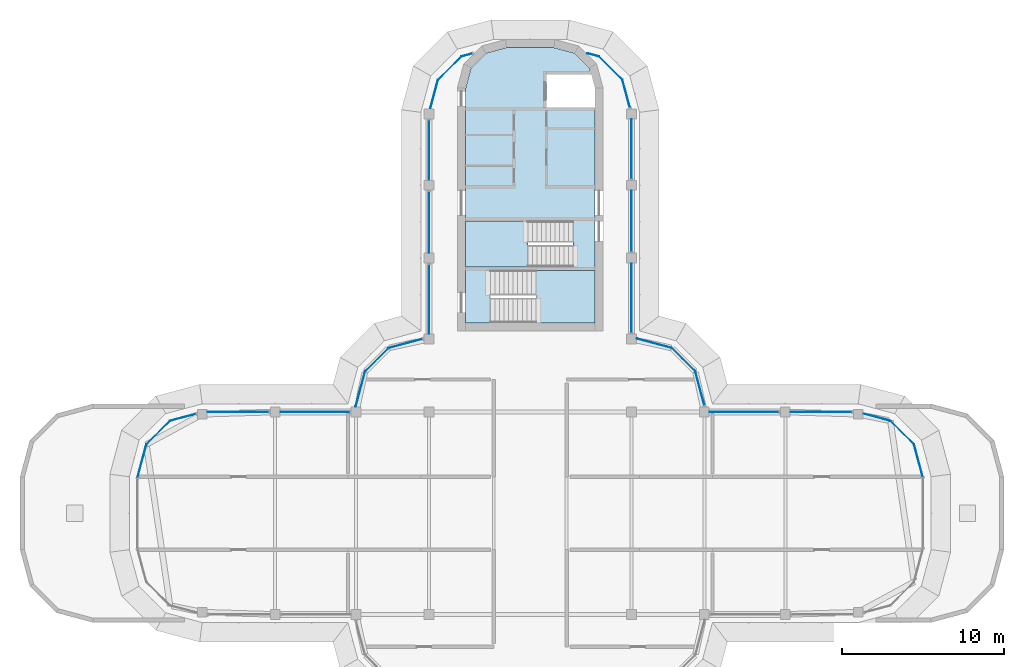
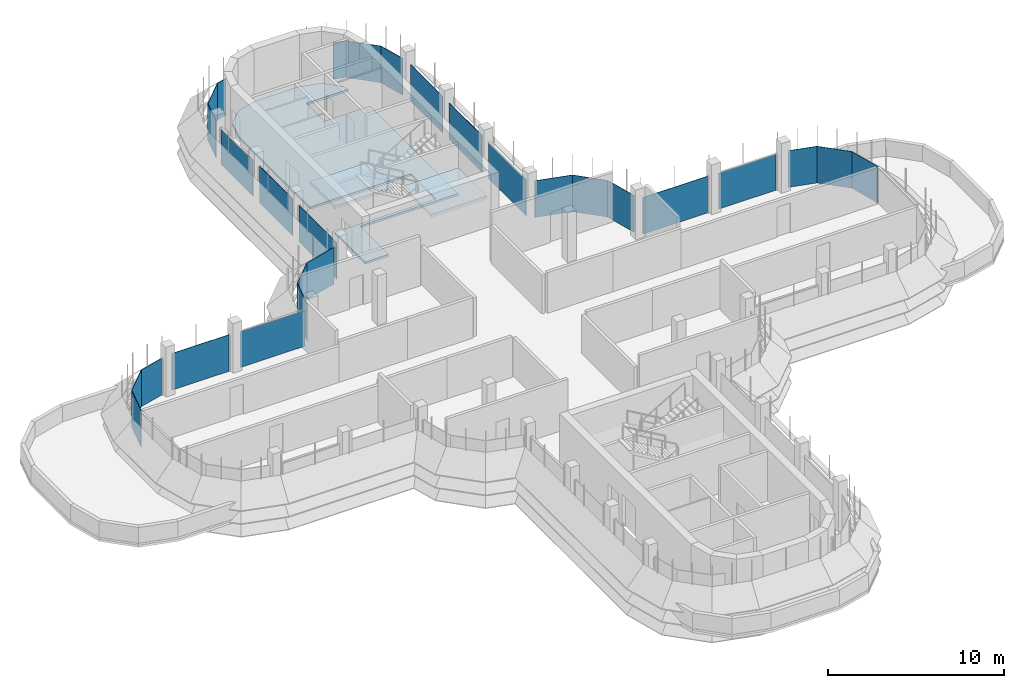
# One storey, part 12 of 20: 28 plates, 3 slabs, 24 elements without a shape of their own.
"""IFC4 building model written with IfcOpenShell, lengths in metres."""

import ifcopenshell
import ifcopenshell.guid

model = None  # the IFC model being written
_history = None  # IfcOwnerHistory: only IFC2X3 demands one
_inside = {}  # id of a spatial element -> (the spatial element, [elements in it])
_under = {}  # id of a project, library or spatial element -> (it, [spatial elements below it])
_declared = {}  # id of a project -> (the project, [libraries it declares])
_typed = {}  # id of a type object -> (the type object, [elements of that type])
_made_of = {}  # id of a material, layer set ... -> (it, [elements and type objects made of it])


def new_model(schema):
    """Start an empty IFC model of exactly this schema.

    Asked for "IFC4X3", IfcOpenShell would pick the latest addendum, in which some entities
    have other attributes; the version numbers below select the first issue.
    IFC2X3 requires an IfcOwnerHistory on every rooted entity: one is made here for all.
    """
    global model, _history
    if schema == "IFC4X3":
        model = ifcopenshell.file(schema_version=(4, 3, 0, 0))
    else:
        model = ifcopenshell.file(schema=schema)
    _inside.clear()
    _under.clear()
    _declared.clear()
    _typed.clear()
    _made_of.clear()
    _history = None
    if model.schema == "IFC2X3":
        org = make("IfcOrganization", Name="unknown")
        user = make(
            "IfcPersonAndOrganization",
            ThePerson=make("IfcPerson", FamilyName="unknown"),
            TheOrganization=org,
        )
        app = make(
            "IfcApplication",
            ApplicationDeveloper=org,
            Version="unknown",
            ApplicationFullName="unknown",
            ApplicationIdentifier="unknown",
        )
        _history = make(
            "IfcOwnerHistory",
            OwningUser=user,
            OwningApplication=app,
            ChangeAction="ADDED",
            CreationDate=0,
        )
    return model


def make(cls, **values):
    """One entity of the class cls with the attributes given. An attribute that is None is left unset."""
    return model.create_entity(
        cls, **{name: value for name, value in values.items() if value is not None}
    )


def rooted(cls, **values):
    """An entity with a GlobalId (a new one), such as an element, a storey or a relation."""
    return make(cls, GlobalId=ifcopenshell.guid.new(), OwnerHistory=_history, **values)


def si_unit(unit_type, name, prefix=None):
    """IfcSIUnit, for example si_unit("LENGTHUNIT", "METRE", prefix="MILLI")."""
    return make("IfcSIUnit", UnitType=unit_type, Prefix=prefix, Name=name)


def assignment(units):
    """IfcUnitAssignment: the units of a project."""
    return None if units is None else make("IfcUnitAssignment", Units=units)


def point(xyz):
    """IfcCartesianPoint."""
    return None if xyz is None else make("IfcCartesianPoint", Coordinates=xyz)


def direction(xyz):
    """IfcDirection."""
    return None if xyz is None else make("IfcDirection", DirectionRatios=xyz)


def frame(location, z_axis=None, x_axis=None):
    """IfcAxis2Placement3D, a coordinate frame: its origin and axes. An axis left out is left unset."""
    return make(
        "IfcAxis2Placement3D",
        Location=point(location),
        Axis=direction(z_axis),
        RefDirection=direction(x_axis),
    )


def origin():
    """The frame at (0, 0, 0) with its axes left unset."""
    return frame((0.0, 0.0, 0.0))


def place(relative_to, where):
    """IfcLocalPlacement: puts the frame where relative to a parent placement (None: the world)."""
    return make(
        "IfcLocalPlacement", PlacementRelTo=relative_to, RelativePlacement=where
    )


def context(
    kind, dimensions, precision=None, world=None, true_north=None, identifier=None
):
    """IfcGeometricRepresentationContext, for example the 3D "Model" context."""
    return make(
        "IfcGeometricRepresentationContext",
        ContextIdentifier=identifier,
        ContextType=kind,
        CoordinateSpaceDimension=dimensions,
        Precision=precision,
        WorldCoordinateSystem=world,
        TrueNorth=true_north,
    )


def subcontext(parent, identifier, kind, view, scale=None):
    """IfcGeometricRepresentationSubContext, for example "Body" below "Model"."""
    return make(
        "IfcGeometricRepresentationSubContext",
        ContextIdentifier=identifier,
        ContextType=kind,
        ParentContext=parent,
        TargetScale=scale,
        TargetView=view,
    )


def project(units=None, contexts=None):
    """IfcProject with its units and contexts."""
    return rooted(
        "IfcProject",
        Name="project",
        RepresentationContexts=contexts,
        UnitsInContext=assignment(units),
    )


def spatial(cls, under=None, at=None, **own):
    """A site, building, storey or space (cls), placed at a placement, below another one or the project."""
    s = rooted(cls, ObjectPlacement=at, **own)
    if under is not None:
        _under.setdefault(under.id(), (under, []))[1].append(s)
    return s


def polyline(points):
    """IfcPolyline through the points."""
    return make("IfcPolyline", Points=[point(p) for p in points])


def outline(outer, holes=None, kind="AREA"):
    """IfcArbitraryClosedProfileDef: a profile drawn as a closed curve; with holes, ...WithVoids."""
    if holes is None:
        return make("IfcArbitraryClosedProfileDef", ProfileType=kind, OuterCurve=outer)
    return make(
        "IfcArbitraryProfileDefWithVoids",
        ProfileType=kind,
        OuterCurve=outer,
        InnerCurves=holes,
    )


def extrude(swept, where, along, depth):
    """IfcExtrudedAreaSolid: the profile swept, set in the frame where, extruded along a direction by depth."""
    return make(
        "IfcExtrudedAreaSolid",
        SweptArea=swept,
        Position=where,
        ExtrudedDirection=direction(along),
        Depth=depth,
    )


def shape(context_of_items, identifier, shape_type, items):
    """IfcShapeRepresentation: the items that make up one representation, for example the "Body"."""
    return make(
        "IfcShapeRepresentation",
        ContextOfItems=context_of_items,
        RepresentationIdentifier=identifier,
        RepresentationType=shape_type,
        Items=items,
    )


def source(mapping_origin, context_of_items, identifier, shape_type, items):
    """IfcRepresentationMap: a shape defined once, which mapped items show again and again."""
    return make(
        "IfcRepresentationMap",
        MappingOrigin=mapping_origin,
        MappedRepresentation=shape(context_of_items, identifier, shape_type, items),
    )


def transform(
    local_origin,
    x_axis=None,
    y_axis=None,
    z_axis=None,
    scale=None,
    scale2=None,
    scale3=None,
    uniform=True,
):
    """IfcCartesianTransformationOperator3D, or its non-uniform kind. x_axis, y_axis, z_axis: its Axis1, 2, 3."""
    if uniform:
        return make(
            "IfcCartesianTransformationOperator3D",
            Axis1=direction(x_axis),
            Axis2=direction(y_axis),
            LocalOrigin=point(local_origin),
            Scale=scale,
            Axis3=direction(z_axis),
        )
    return make(
        "IfcCartesianTransformationOperator3DnonUniform",
        Axis1=direction(x_axis),
        Axis2=direction(y_axis),
        LocalOrigin=point(local_origin),
        Scale=scale,
        Axis3=direction(z_axis),
        Scale2=scale2,
        Scale3=scale3,
    )


def mapped(mapping_source, mapping_target):
    """IfcMappedItem: shows the shape of a source again, moved by a transform."""
    return make(
        "IfcMappedItem", MappingSource=mapping_source, MappingTarget=mapping_target
    )


def material(Name=None, Category=None):
    """IfcMaterial."""
    return make("IfcMaterial", Name=Name, Category=Category)


def layer(
    of_material, thickness, ventilated=None, Name=None, Category=None, Priority=None
):
    """IfcMaterialLayer: one layer of a wall or slab, of a material (None: an air gap)."""
    return make(
        "IfcMaterialLayer",
        Material=of_material,
        LayerThickness=thickness,
        IsVentilated=ventilated,
        Name=Name,
        Category=Category,
        Priority=Priority,
    )


def layer_set(layers, Name=None):
    """IfcMaterialLayerSet."""
    return make("IfcMaterialLayerSet", MaterialLayers=layers, LayerSetName=Name)


def made_of(thing, what):
    """Note that an element or type object is made of a material, layer set ...; save() writes the relation."""
    if what is not None:
        _made_of.setdefault(what.id(), (what, []))[1].append(thing)
    return thing


def type_object(cls, material=None, **own):
    """A type object (cls), such as IfcWallType, which elements share."""
    return made_of(rooted(cls, **own), material)


def element(
    cls,
    number,
    at=None,
    inside=None,
    cuts=None,
    type_object=None,
    material=None,
    context=None,
    identifier="Body",
    shape_type=None,
    held_by="IfcProductDefinitionShape",
    body=None,
    shapes=None,
    **own,
):
    """One element of the class cls, such as IfcWall. Its Tag is "e" and its number.

    at: its placement. inside: the storey or other place that contains it. cuts: it is an
    opening in that element (IfcRelVoidsElement). A single representation is given by context,
    identifier, shape_type and body (its items); several are given by shapes. held_by: the class
    of the entity that holds the representations. save() writes the other relations.
    """
    e = rooted(cls, Tag="e%d" % number, ObjectPlacement=at, **own)
    if body is not None:
        shapes = [shape(context, identifier, shape_type, body)]
    if shapes is not None:
        e.Representation = make(held_by, Representations=shapes)
    if inside is not None:
        _inside.setdefault(inside.id(), (inside, []))[1].append(e)
    if cuts is not None:
        rooted(
            "IfcRelVoidsElement", RelatingBuildingElement=cuts, RelatedOpeningElement=e
        )
    if type_object is not None:
        _typed.setdefault(type_object.id(), (type_object, []))[1].append(e)
    return made_of(e, material)


def aggregate(whole, parts):
    """IfcRelAggregates: a whole, such as a stair, and the parts it consists of."""
    return rooted("IfcRelAggregates", RelatingObject=whole, RelatedObjects=parts)


def save(model, path):
    """Write the relations noted so far, then the file.

    IfcRelAggregates (storeys below a building ...), IfcRelContainedInSpatialStructure (elements
    in a storey), IfcRelDefinesByType, IfcRelAssociatesMaterial and IfcRelDeclares: one each for
    every whole, place, type object, material and project.
    """
    for whole, parts in _under.values():
        aggregate(whole, parts)
    for where, things in _inside.values():
        rooted(
            "IfcRelContainedInSpatialStructure",
            RelatedElements=things,
            RelatingStructure=where,
        )
    for kind, things in _typed.values():
        rooted("IfcRelDefinesByType", RelatedObjects=things, RelatingType=kind)
    for what, things in _made_of.values():
        rooted("IfcRelAssociatesMaterial", RelatedObjects=things, RelatingMaterial=what)
    for by, libraries in _declared.values():
        rooted("IfcRelDeclares", RelatingContext=by, RelatedDefinitions=libraries)
    model.write(path)


model = new_model("IFC4")

# Units and contexts
model_context = context("Model", 3, precision=1e-05, world=origin(), true_north=direction((0.0, 1.0)))
body_context = subcontext(model_context, "Body", "Model", "MODEL_VIEW")
ifc_project = project(units=[si_unit("LENGTHUNIT", "METRE"), si_unit("AREAUNIT", "SQUARE_METRE"), si_unit("VOLUMEUNIT", "CUBIC_METRE"), si_unit("PLANEANGLEUNIT", "RADIAN"), si_unit("MASSUNIT", "GRAM", prefix="KILO")], contexts=[model_context])

# Site, building, storey
site_placement = place(None, origin())
site = spatial("IfcSite", under=ifc_project, at=site_placement, CompositionType="ELEMENT")
building_placement = place(site_placement, origin())
building = spatial("IfcBuilding", under=site, at=building_placement, Name="Zarbagh Exchange Tower", CompositionType="ELEMENT")
storey_placement = place(building_placement, frame((0.0, 0.0, 291.60009765625)))
storey = spatial("IfcBuildingStorey", under=building, at=storey_placement, Name="L71", CompositionType="ELEMENT", Elevation=291.60009765625)

# Slab
ifc_material_1 = material(Name="Concrete C40/50", Category="concrete")
ifc_layer_1 = layer(ifc_material_1, 0.14990234375)
ifc_layer_set_1 = layer_set([ifc_layer_1], Name="Core floor slab 150 C40/50")
slab_type_1 = type_object("IfcSlabType", Name="Core floor slab 150 C40/50", PredefinedType="FLOOR", material=ifc_layer_set_1)
slab_1_placement = place(storey_placement, frame((0.0, 0.0, -0.150146484375)))
element("IfcSlab", 1, at=slab_1_placement, inside=storey, type_object=slab_type_1, Name="S17 core N", PredefinedType="FLOOR", context=body_context, shape_type="SweptSolid", body=[
    extrude(outline(polyline([(-4.0, 11.75), (-4.0, 15.199951171875), (2.64990234375, 15.199951171875), (2.64990234375, 18.050048828125), (-4.0, 18.050048828125), (-4.0, 26.18408203125), (-3.64990234375, 27.4912109375), (-2.7412109375, 28.39990234375), (-1.43408203125, 28.75), (1.43408203125, 28.75), (2.7412109375, 28.39990234375), (3.64990234375, 27.4912109375), (3.857666015625, 26.715087890625), (3.754638671875, 27.10009765625), (1.0, 27.10009765625), (1.0, 25.050048828125), (4.0, 25.050048828125), (4.0, 15.0), (-2.449951171875, 15.0), (-2.449951171875, 11.75), (-4.0, 11.75)])), origin(), (0.0, 0.0, 1.0), 0.150146484375),
])

# Stair, slab
stair_type = type_object("IfcStairType", Name="Exit stair two-flight half-turn", PredefinedType="HALF_TURN_STAIR", material=ifc_material_1)
stair_1_placement = place(storey_placement, origin())
stair_1 = element("IfcStair", 2, at=stair_1_placement, inside=storey, type_object=stair_type, Name="exit stair ST1", PredefinedType="HALF_TURN_STAIR")
ifc_layer_2 = layer(ifc_material_1, 0.199951171875)
ifc_layer_set_2 = layer_set([ifc_layer_2], Name="Stair landing 200 mm")
slab_type_2 = type_object("IfcSlabType", Name="Stair landing 200 mm", PredefinedType="LANDING", material=ifc_layer_set_2)
slab_2_placement = place(storey_placement, frame((0.0, 0.0, 1.599853515625)))
slab_2 = element("IfcSlab", 3, at=slab_2_placement, type_object=slab_type_2, Name="ST1 landing 1", PredefinedType="LANDING", context=body_context, shape_type="SweptSolid", body=[
    extrude(outline(polyline([(-0.14990234375, 18.050048828125), (-4.0, 18.050048828125), (-4.0, 15.199951171875), (-0.14990234375, 15.199951171875), (-0.14990234375, 18.050048828125)])), origin(), (0.0, 0.0, 1.0), 0.199951171875),
])
aggregate(stair_1, [slab_2])

stair_2_placement = place(storey_placement, origin())
stair_2 = element("IfcStair", 4, at=stair_2_placement, inside=storey, type_object=stair_type, Name="exit stair ST2", PredefinedType="HALF_TURN_STAIR")
slab_3_placement = place(storey_placement, frame((0.0, 0.0, 1.599853515625)))
slab_3 = element("IfcSlab", 5, at=slab_3_placement, type_object=slab_type_2, Name="ST2 landing 1", PredefinedType="LANDING", context=body_context, shape_type="SweptSolid", body=[
    extrude(outline(polyline([(0.35009765625, 11.75), (4.0, 11.75), (4.0, 15.0), (0.35009765625, 15.0), (0.35009765625, 11.75)])), origin(), (0.0, 0.0, 1.0), 0.199951171875),
])
aggregate(stair_2, [slab_3])

# Curtain wall, plate
ifc_material_2 = material(Name="Anodised aluminium frame and glazing", Category="aluminium")
curtain_wall_type = type_object("IfcCurtainWallType", Name="CWF Crown tier glazing", PredefinedType="NOTDEFINED", material=ifc_material_2)
curtain_wall_1_placement = place(storey_placement, origin())
curtain_wall_1 = element("IfcCurtainWall", 6, at=curtain_wall_1_placement, inside=storey, type_object=curtain_wall_type, Name="CWF24 curtain wall", PredefinedType="NOTDEFINED")
ifc_material_3 = material(Name="Low-e double glazed unit, 6+12+6 mm")
ifc_layer_3 = layer(ifc_material_3, 0.028076171875)
ifc_layer_set_3 = layer_set([ifc_layer_3], Name="PAF Glazing panel, Low-e double glazed unit, 6+12+6 mm")
plate_type = type_object("IfcPlateType", Name="PAF Glazing panel, Low-e double glazed unit, 6+12+6 mm", PredefinedType="CURTAIN_PANEL", material=ifc_layer_set_3)
shared_shape_1 = source(origin(), body_context, "Body", "SweptSolid", [
    extrude(outline(polyline([(0.0, -0.013916015625), (0.697021484375, -0.013916015625), (0.697021484375, 0.013916015625), (0.0, 0.013916015625), (0.0, -0.013916015625)])), origin(), (0.0, 0.0, 1.0), 2.550048828125),
])
placement = place(storey_placement, origin())
plate_1 = element("IfcPlate", 7, at=placement, type_object=plate_type, Name="CWF24 glazing panel 1.1", PredefinedType="CURTAIN_PANEL", context=body_context, shape_type="MappedRepresentation", body=[
    mapped(shared_shape_1, transform((-3.56787109375, 28.379150390625, 0.0), x_axis=(-0.965924289636, -0.258824779902, 0.0), y_axis=(0.258824779902, -0.965924289636, 0.0), z_axis=(0.0, 0.0, 1.0))),
])
aggregate(curtain_wall_1, [plate_1])

curtain_wall_2_placement = place(storey_placement, origin())
curtain_wall_2 = element("IfcCurtainWall", 8, at=curtain_wall_2_placement, inside=storey, type_object=curtain_wall_type, Name="CWF14 curtain wall", PredefinedType="NOTDEFINED")
shared_shape_2 = source(origin(), body_context, "Body", "SweptSolid", [
    extrude(outline(polyline([(0.0, -0.013916015625), (2.061279296875, -0.013916015625), (2.061279296875, 0.013916015625), (0.0, 0.013916015625), (0.0, -0.013916015625)])), origin(), (0.0, 0.0, 1.0), 2.550048828125),
])
plate_2 = element("IfcPlate", 9, at=placement, type_object=plate_type, Name="CWF14 glazing panel 1.1", PredefinedType="CURTAIN_PANEL", context=body_context, shape_type="MappedRepresentation", body=[
    mapped(shared_shape_2, transform((23.69873046875, 4.2412109375, 0.0), x_axis=(-0.707106781187, 0.707106781187, 0.0), y_axis=(-0.707106781187, -0.707106781187, 0.0), z_axis=(0.0, 0.0, 1.0))),
])
aggregate(curtain_wall_2, [plate_2])

curtain_wall_3_placement = place(storey_placement, origin())
curtain_wall_3 = element("IfcCurtainWall", 10, at=curtain_wall_3_placement, inside=storey, type_object=curtain_wall_type, Name="CWF18 curtain wall", PredefinedType="NOTDEFINED")
plate_3 = element("IfcPlate", 11, at=placement, type_object=plate_type, Name="CWF18 glazing panel 1.1", PredefinedType="CURTAIN_PANEL", context=body_context, shape_type="MappedRepresentation", body=[
    mapped(shared_shape_2, transform((10.19873046875, 8.7412109375, 0.0), x_axis=(-0.707106781187, 0.707106781187, 0.0), y_axis=(-0.707106781187, -0.707106781187, 0.0), z_axis=(0.0, 0.0, 1.0))),
])
aggregate(curtain_wall_3, [plate_3])

curtain_wall_4_placement = place(storey_placement, origin())
curtain_wall_4 = element("IfcCurtainWall", 12, at=curtain_wall_4_placement, inside=storey, type_object=curtain_wall_type, Name="CWF22 curtain wall", PredefinedType="NOTDEFINED")
plate_4 = element("IfcPlate", 13, at=placement, type_object=plate_type, Name="CWF22 glazing panel 1.1", PredefinedType="CURTAIN_PANEL", context=body_context, shape_type="MappedRepresentation", body=[
    mapped(shared_shape_2, transform((5.69873046875, 26.7412109375, 0.0), x_axis=(-0.707106781187, 0.707106781187, 0.0), y_axis=(-0.707106781187, -0.707106781187, 0.0), z_axis=(0.0, 0.0, 1.0))),
])
aggregate(curtain_wall_4, [plate_4])

curtain_wall_5_placement = place(storey_placement, origin())
curtain_wall_5 = element("IfcCurtainWall", 14, at=curtain_wall_5_placement, inside=storey, type_object=curtain_wall_type, Name="CWF25 curtain wall", PredefinedType="NOTDEFINED")
plate_5 = element("IfcPlate", 15, at=placement, type_object=plate_type, Name="CWF25 glazing panel 1.1", PredefinedType="CURTAIN_PANEL", context=body_context, shape_type="MappedRepresentation", body=[
    mapped(shared_shape_2, transform((-4.2412109375, 28.19873046875, 0.0), x_axis=(-0.707106781187, -0.707106781187, 0.0), y_axis=(0.707106781187, -0.707106781187, 0.0), z_axis=(0.0, 0.0, 1.0))),
])
aggregate(curtain_wall_5, [plate_5])

curtain_wall_6_placement = place(storey_placement, origin())
curtain_wall_6 = element("IfcCurtainWall", 16, at=curtain_wall_6_placement, inside=storey, type_object=curtain_wall_type, Name="CWF29 curtain wall", PredefinedType="NOTDEFINED")
plate_6 = element("IfcPlate", 17, at=placement, type_object=plate_type, Name="CWF29 glazing panel 1.1", PredefinedType="CURTAIN_PANEL", context=body_context, shape_type="MappedRepresentation", body=[
    mapped(shared_shape_2, transform((-8.7412109375, 10.19873046875, 0.0), x_axis=(-0.707106781187, -0.707106781187, 0.0), y_axis=(0.707106781187, -0.707106781187, 0.0), z_axis=(0.0, 0.0, 1.0))),
])
aggregate(curtain_wall_6, [plate_6])

curtain_wall_7_placement = place(storey_placement, origin())
curtain_wall_7 = element("IfcCurtainWall", 18, at=curtain_wall_7_placement, inside=storey, type_object=curtain_wall_type, Name="CWF33 curtain wall", PredefinedType="NOTDEFINED")
plate_7 = element("IfcPlate", 19, at=placement, type_object=plate_type, Name="CWF33 glazing panel 1.1", PredefinedType="CURTAIN_PANEL", context=body_context, shape_type="MappedRepresentation", body=[
    mapped(shared_shape_2, transform((-22.2412109375, 5.69873046875, 0.0), x_axis=(-0.707106781187, -0.707106781187, 0.0), y_axis=(0.707106781187, -0.707106781187, 0.0), z_axis=(0.0, 0.0, 1.0))),
])
aggregate(curtain_wall_7, [plate_7])

curtain_wall_8_placement = place(storey_placement, origin())
curtain_wall_8 = element("IfcCurtainWall", 20, at=curtain_wall_8_placement, inside=storey, type_object=curtain_wall_type, Name="CWF26 curtain wall", PredefinedType="NOTDEFINED")
shared_shape_3 = source(origin(), body_context, "Body", "SweptSolid", [
    extrude(outline(polyline([(0.0, -0.013916015625), (1.81298828125, -0.013916015625), (1.81298828125, 0.013916015625), (0.0, 0.013916015625), (0.0, -0.013916015625)])), origin(), (0.0, 0.0, 1.0), 2.550048828125),
])
plate_8 = element("IfcPlate", 21, at=placement, type_object=plate_type, Name="CWF26 glazing panel 1.1", PredefinedType="CURTAIN_PANEL", context=body_context, shape_type="MappedRepresentation", body=[
    mapped(shared_shape_3, transform((-5.69873046875, 26.7412109375, 0.0), x_axis=(-0.258824779902, -0.965924289636, 0.0), y_axis=(0.965924289636, -0.258824779902, 0.0), z_axis=(0.0, 0.0, 1.0))),
])
aggregate(curtain_wall_8, [plate_8])

curtain_wall_9_placement = place(storey_placement, origin())
curtain_wall_9 = element("IfcCurtainWall", 22, at=curtain_wall_9_placement, inside=storey, type_object=curtain_wall_type, Name="CWF27 curtain wall", PredefinedType="NOTDEFINED")
shared_shape_4 = source(origin(), body_context, "Body", "SweptSolid", [
    extrude(outline(polyline([(0.0, -0.013916015625), (3.659912109375, -0.013916015625), (3.659912109375, 0.013916015625), (0.0, 0.013916015625), (0.0, -0.013916015625)])), origin(), (0.0, 0.0, 1.0), 2.489990234375),
])
plate_9 = element("IfcPlate", 23, at=placement, type_object=plate_type, Name="CWF27 glazing panel 1.1", PredefinedType="CURTAIN_PANEL", context=body_context, shape_type="MappedRepresentation", body=[
    mapped(shared_shape_4, transform((-6.25, 24.25, 0.0), x_axis=(0.0, -1.0, 0.0), y_axis=(1.0, 0.0, 0.0), z_axis=(0.0, 0.0, 1.0))),
])

curtain_wall_10_placement = place(storey_placement, origin())
curtain_wall_10 = element("IfcCurtainWall", 24, at=curtain_wall_10_placement, inside=storey, type_object=curtain_wall_type, Name="CWF20 curtain wall", PredefinedType="NOTDEFINED")
shared_shape_5 = source(origin(), body_context, "Body", "SweptSolid", [
    extrude(outline(polyline([(0.0, -0.013916015625), (3.760009765625, -0.013916015625), (3.760009765625, 0.013916015625), (0.0, 0.013916015625), (0.0, -0.013916015625)])), origin(), (0.0, 0.0, 1.0), 2.550048828125),
])
plate_10 = element("IfcPlate", 25, at=placement, type_object=plate_type, Name="CWF20 glazing panel 2.1", PredefinedType="CURTAIN_PANEL", context=body_context, shape_type="MappedRepresentation", body=[
    mapped(shared_shape_5, transform((6.25, 16.150146484375, 0.0), x_axis=(0.0, 1.0, 0.0), y_axis=(-1.0, 0.0, 0.0), z_axis=(0.0, 0.0, 1.0))),
])

# Plate
plate_11 = element("IfcPlate", 26, at=placement, type_object=plate_type, Name="CWF27 glazing panel 2.1", PredefinedType="CURTAIN_PANEL", context=body_context, shape_type="MappedRepresentation", body=[
    mapped(shared_shape_5, transform((-6.25, 19.849853515625, 0.0), x_axis=(0.0, -1.0, 0.0), y_axis=(1.0, 0.0, 0.0), z_axis=(0.0, 0.0, 1.0))),
])

# Curtain wall, plate
curtain_wall_11_placement = place(storey_placement, origin())
curtain_wall_11 = element("IfcCurtainWall", 27, at=curtain_wall_11_placement, inside=storey, type_object=curtain_wall_type, Name="CWF31 curtain wall", PredefinedType="NOTDEFINED")
plate_12 = element("IfcPlate", 28, at=placement, type_object=plate_type, Name="CWF31 glazing panel 2.1", PredefinedType="CURTAIN_PANEL", context=body_context, shape_type="MappedRepresentation", body=[
    mapped(shared_shape_5, transform((-16.150146484375, 6.25, 0.0), x_axis=(-1.0, 0.0, 0.0), y_axis=(0.0, -1.0, 0.0), z_axis=(0.0, 0.0, 1.0))),
])

curtain_wall_12_placement = place(storey_placement, origin())
curtain_wall_12 = element("IfcCurtainWall", 29, at=curtain_wall_12_placement, inside=storey, type_object=curtain_wall_type, Name="CWF16 curtain wall", PredefinedType="NOTDEFINED")
shared_shape_6 = source(origin(), body_context, "Body", "SweptSolid", [
    extrude(outline(polyline([(0.0, -0.013916015625), (4.260009765625, -0.013916015625), (4.260009765625, 0.013916015625), (0.0, 0.013916015625), (0.0, -0.013916015625)])), origin(), (0.0, 0.0, 1.0), 2.550048828125),
])
plate_13 = element("IfcPlate", 30, at=placement, type_object=plate_type, Name="CWF16 glazing panel 2.1", PredefinedType="CURTAIN_PANEL", context=body_context, shape_type="MappedRepresentation", body=[
    mapped(shared_shape_6, transform((15.349853515625, 6.25, 0.0), x_axis=(-1.0, 0.0, 0.0), y_axis=(0.0, -1.0, 0.0), z_axis=(0.0, 0.0, 1.0))),
])

# Plate
plate_14 = element("IfcPlate", 31, at=placement, type_object=plate_type, Name="CWF27 glazing panel 3.1", PredefinedType="CURTAIN_PANEL", context=body_context, shape_type="MappedRepresentation", body=[
    mapped(shared_shape_6, transform((-6.25, 15.349853515625, 0.0), x_axis=(0.0, -1.0, 0.0), y_axis=(1.0, 0.0, 0.0), z_axis=(0.0, 0.0, 1.0))),
])

aggregate(curtain_wall_9, [plate_9, plate_11, plate_14])

# Curtain wall, plate
curtain_wall_13_placement = place(storey_placement, origin())
curtain_wall_13 = element("IfcCurtainWall", 32, at=curtain_wall_13_placement, inside=storey, type_object=curtain_wall_type, Name="CWF17 curtain wall", PredefinedType="NOTDEFINED")
shared_shape_7 = source(origin(), body_context, "Body", "SweptSolid", [
    extrude(outline(polyline([(0.0, -0.013916015625), (2.1669921875, -0.013916015625), (2.1669921875, 0.013916015625), (0.0, 0.013916015625), (0.0, -0.013916015625)])), origin(), (0.0, 0.0, 1.0), 2.550048828125),
])
plate_15 = element("IfcPlate", 33, at=placement, type_object=plate_type, Name="CWF17 glazing panel 1.1", PredefinedType="CURTAIN_PANEL", context=body_context, shape_type="MappedRepresentation", body=[
    mapped(shared_shape_7, transform((10.759765625, 6.64794921875, 0.0), x_axis=(-0.258824779902, 0.965924289636, 0.0), y_axis=(-0.965924289636, -0.258824779902, 0.0), z_axis=(0.0, 0.0, 1.0))),
])
aggregate(curtain_wall_13, [plate_15])

curtain_wall_14_placement = place(storey_placement, origin())
curtain_wall_14 = element("IfcCurtainWall", 34, at=curtain_wall_14_placement, inside=storey, type_object=curtain_wall_type, Name="CWF28 curtain wall", PredefinedType="NOTDEFINED")
plate_16 = element("IfcPlate", 35, at=placement, type_object=plate_type, Name="CWF28 glazing panel 1.1", PredefinedType="CURTAIN_PANEL", context=body_context, shape_type="MappedRepresentation", body=[
    mapped(shared_shape_7, transform((-6.64794921875, 10.759765625, 0.0), x_axis=(-0.965924289636, -0.258824779902, 0.0), y_axis=(0.258824779902, -0.965924289636, 0.0), z_axis=(0.0, 0.0, 1.0))),
])
aggregate(curtain_wall_14, [plate_16])

curtain_wall_15_placement = place(storey_placement, origin())
curtain_wall_15 = element("IfcCurtainWall", 36, at=curtain_wall_15_placement, inside=storey, type_object=curtain_wall_type, Name="CWF19 curtain wall", PredefinedType="NOTDEFINED")
shared_shape_8 = source(origin(), body_context, "Body", "SweptSolid", [
    extrude(outline(polyline([(0.0, -0.013916015625), (2.22705078125, -0.013916015625), (2.22705078125, 0.013916015625), (0.0, 0.013916015625), (0.0, -0.013916015625)])), origin(), (0.0, 0.0, 1.0), 2.550048828125),
])
plate_17 = element("IfcPlate", 37, at=placement, type_object=plate_type, Name="CWF19 glazing panel 1.1", PredefinedType="CURTAIN_PANEL", context=body_context, shape_type="MappedRepresentation", body=[
    mapped(shared_shape_8, transform((8.7412109375, 10.19873046875, 0.0), x_axis=(-0.965924289636, 0.258824779902, 0.0), y_axis=(-0.258824779902, -0.965924289636, 0.0), z_axis=(0.0, 0.0, 1.0))),
])
aggregate(curtain_wall_15, [plate_17])

curtain_wall_16_placement = place(storey_placement, origin())
curtain_wall_16 = element("IfcCurtainWall", 38, at=curtain_wall_16_placement, inside=storey, type_object=curtain_wall_type, Name="CWF30 curtain wall", PredefinedType="NOTDEFINED")
plate_18 = element("IfcPlate", 39, at=placement, type_object=plate_type, Name="CWF30 glazing panel 1.1", PredefinedType="CURTAIN_PANEL", context=body_context, shape_type="MappedRepresentation", body=[
    mapped(shared_shape_8, transform((-10.19873046875, 8.7412109375, 0.0), x_axis=(-0.258824779902, -0.965924289636, 0.0), y_axis=(0.965924289636, -0.258824779902, 0.0), z_axis=(0.0, 0.0, 1.0))),
])
aggregate(curtain_wall_16, [plate_18])

# Plate
shared_shape_9 = source(origin(), body_context, "Body", "SweptSolid", [
    extrude(outline(polyline([(0.0, -0.013916015625), (4.260009765625, -0.013916015625), (4.260009765625, 0.013916015625), (0.0, 0.013916015625), (0.0, -0.013916015625)])), origin(), (0.0, 0.0, 1.0), 2.489990234375),
])
plate_19 = element("IfcPlate", 40, at=placement, type_object=plate_type, Name="CWF20 glazing panel 1.1", PredefinedType="CURTAIN_PANEL", context=body_context, shape_type="MappedRepresentation", body=[
    mapped(shared_shape_9, transform((6.25, 11.150146484375, 0.0), x_axis=(0.0, 1.0, 0.0), y_axis=(-1.0, 0.0, 0.0), z_axis=(0.0, 0.0, 1.0))),
])

plate_20 = element("IfcPlate", 41, at=placement, type_object=plate_type, Name="CWF31 glazing panel 1.1", PredefinedType="CURTAIN_PANEL", context=body_context, shape_type="MappedRepresentation", body=[
    mapped(shared_shape_9, transform((-11.150146484375, 6.25, 0.0), x_axis=(-1.0, 0.0, 0.0), y_axis=(0.0, -1.0, 0.0), z_axis=(0.0, 0.0, 1.0))),
])

aggregate(curtain_wall_11, [plate_20, plate_12])

# Curtain wall, plate
curtain_wall_17_placement = place(storey_placement, origin())
curtain_wall_17 = element("IfcCurtainWall", 42, at=curtain_wall_17_placement, inside=storey, type_object=curtain_wall_type, Name="CWF32 curtain wall", PredefinedType="NOTDEFINED")
shared_shape_10 = source(origin(), body_context, "Body", "SweptSolid", [
    extrude(outline(polyline([(0.0, -0.013916015625), (1.6494140625, -0.013916015625), (1.6494140625, 0.013916015625), (0.0, 0.013916015625), (0.0, -0.013916015625)])), origin(), (0.0, 0.0, 1.0), 2.550048828125),
])
plate_21 = element("IfcPlate", 43, at=placement, type_object=plate_type, Name="CWF32 glazing panel 1.1", PredefinedType="CURTAIN_PANEL", context=body_context, shape_type="MappedRepresentation", body=[
    mapped(shared_shape_10, transform((-20.64794921875, 6.125732421875, 0.0), x_axis=(-0.965924289636, -0.258824779902, 0.0), y_axis=(0.258824779902, -0.965924289636, 0.0), z_axis=(0.0, 0.0, 1.0))),
])
aggregate(curtain_wall_17, [plate_21])

curtain_wall_18_placement = place(storey_placement, origin())
curtain_wall_18 = element("IfcCurtainWall", 44, at=curtain_wall_18_placement, inside=storey, type_object=curtain_wall_type, Name="CWF34 curtain wall", PredefinedType="NOTDEFINED")
shared_shape_11 = source(origin(), body_context, "Body", "SweptSolid", [
    extrude(outline(polyline([(0.0, -0.013916015625), (2.129638671875, -0.013916015625), (2.129638671875, 0.013916015625), (0.0, 0.013916015625), (0.0, -0.013916015625)])), origin(), (0.0, 0.0, 1.0), 2.550048828125),
])
plate_22 = element("IfcPlate", 45, at=placement, type_object=plate_type, Name="CWF34 glazing panel 1.1", PredefinedType="CURTAIN_PANEL", context=body_context, shape_type="MappedRepresentation", body=[
    mapped(shared_shape_11, transform((-23.69873046875, 4.2412109375, 0.0), x_axis=(-0.258824779902, -0.965924289636, 0.0), y_axis=(0.965924289636, -0.258824779902, 0.0), z_axis=(0.0, 0.0, 1.0))),
])
aggregate(curtain_wall_18, [plate_22])

curtain_wall_19_placement = place(storey_placement, origin())
curtain_wall_19 = element("IfcCurtainWall", 46, at=curtain_wall_19_placement, inside=storey, type_object=curtain_wall_type, Name="CWF13 curtain wall", PredefinedType="NOTDEFINED")
shared_shape_12 = source(origin(), body_context, "Body", "SweptSolid", [
    extrude(outline(polyline([(0.0, -0.013916015625), (2.069580078125, -0.013916015625), (2.069580078125, 0.013916015625), (0.0, 0.013916015625), (0.0, -0.013916015625)])), origin(), (0.0, 0.0, 1.0), 2.550048828125),
])
plate_23 = element("IfcPlate", 47, at=placement, type_object=plate_type, Name="CWF13 glazing panel 1.1", PredefinedType="CURTAIN_PANEL", context=body_context, shape_type="MappedRepresentation", body=[
    mapped(shared_shape_12, transform((24.234375, 2.2421875, 0.0), x_axis=(-0.258824779902, 0.965924289636, 0.0), y_axis=(-0.965924289636, -0.258824779902, 0.0), z_axis=(0.0, 0.0, 1.0))),
])
aggregate(curtain_wall_19, [plate_23])

curtain_wall_20_placement = place(storey_placement, origin())
curtain_wall_20 = element("IfcCurtainWall", 48, at=curtain_wall_20_placement, inside=storey, type_object=curtain_wall_type, Name="CWF15 curtain wall", PredefinedType="NOTDEFINED")
shared_shape_13 = source(origin(), body_context, "Body", "SweptSolid", [
    extrude(outline(polyline([(0.0, -0.013916015625), (1.70947265625, -0.013916015625), (1.70947265625, 0.013916015625), (0.0, 0.013916015625), (0.0, -0.013916015625)])), origin(), (0.0, 0.0, 1.0), 2.550048828125),
])
plate_24 = element("IfcPlate", 49, at=placement, type_object=plate_type, Name="CWF15 glazing panel 1.1", PredefinedType="CURTAIN_PANEL", context=body_context, shape_type="MappedRepresentation", body=[
    mapped(shared_shape_13, transform((22.2412109375, 5.69873046875, 0.0), x_axis=(-0.965924289636, 0.258824779902, 0.0), y_axis=(-0.258824779902, -0.965924289636, 0.0), z_axis=(0.0, 0.0, 1.0))),
])
aggregate(curtain_wall_20, [plate_24])

# Plate
shared_shape_14 = source(origin(), body_context, "Body", "SweptSolid", [
    extrude(outline(polyline([(0.0, -0.013916015625), (3.760009765625, -0.013916015625), (3.760009765625, 0.013916015625), (0.0, 0.013916015625), (0.0, -0.013916015625)])), origin(), (0.0, 0.0, 1.0), 2.489990234375),
])
plate_25 = element("IfcPlate", 50, at=placement, type_object=plate_type, Name="CWF16 glazing panel 1.1", PredefinedType="CURTAIN_PANEL", context=body_context, shape_type="MappedRepresentation", body=[
    mapped(shared_shape_14, transform((19.849853515625, 6.25, 0.0), x_axis=(-1.0, 0.0, 0.0), y_axis=(0.0, -1.0, 0.0), z_axis=(0.0, 0.0, 1.0))),
])

aggregate(curtain_wall_12, [plate_25, plate_13])

shared_shape_15 = source(origin(), body_context, "Body", "SweptSolid", [
    extrude(outline(polyline([(0.0, -0.013916015625), (3.659912109375, -0.013916015625), (3.659912109375, 0.013916015625), (0.0, 0.013916015625), (0.0, -0.013916015625)])), origin(), (0.0, 0.0, 1.0), 2.550048828125),
])
plate_26 = element("IfcPlate", 51, at=placement, type_object=plate_type, Name="CWF20 glazing panel 3.1", PredefinedType="CURTAIN_PANEL", context=body_context, shape_type="MappedRepresentation", body=[
    mapped(shared_shape_15, transform((6.25, 20.650146484375, 0.0), x_axis=(0.0, 1.0, 0.0), y_axis=(-1.0, 0.0, 0.0), z_axis=(0.0, 0.0, 1.0))),
])

aggregate(curtain_wall_10, [plate_19, plate_10, plate_26])

# Curtain wall, plate
curtain_wall_21_placement = place(storey_placement, origin())
curtain_wall_21 = element("IfcCurtainWall", 52, at=curtain_wall_21_placement, inside=storey, type_object=curtain_wall_type, Name="CWF21 curtain wall", PredefinedType="NOTDEFINED")
shared_shape_16 = source(origin(), body_context, "Body", "SweptSolid", [
    extrude(outline(polyline([(0.0, -0.013916015625), (1.7529296875, -0.013916015625), (1.7529296875, 0.013916015625), (0.0, 0.013916015625), (0.0, -0.013916015625)])), origin(), (0.0, 0.0, 1.0), 2.550048828125),
])
plate_27 = element("IfcPlate", 53, at=placement, type_object=plate_type, Name="CWF21 glazing panel 1.1", PredefinedType="CURTAIN_PANEL", context=body_context, shape_type="MappedRepresentation", body=[
    mapped(shared_shape_16, transform((6.152587890625, 25.0478515625, 0.0), x_axis=(-0.258824779902, 0.965924289636, 0.0), y_axis=(-0.965924289636, -0.258824779902, 0.0), z_axis=(0.0, 0.0, 1.0))),
])
aggregate(curtain_wall_21, [plate_27])

curtain_wall_22_placement = place(storey_placement, origin())
curtain_wall_22 = element("IfcCurtainWall", 54, at=curtain_wall_22_placement, inside=storey, type_object=curtain_wall_type, Name="CWF23 curtain wall", PredefinedType="NOTDEFINED")
shared_shape_17 = source(origin(), body_context, "Body", "SweptSolid", [
    extrude(outline(polyline([(0.0, -0.013916015625), (0.757080078125, -0.013916015625), (0.757080078125, 0.013916015625), (0.0, 0.013916015625), (0.0, -0.013916015625)])), origin(), (0.0, 0.0, 1.0), 2.550048828125),
])
plate_28 = element("IfcPlate", 55, at=placement, type_object=plate_type, Name="CWF23 glazing panel 1.1", PredefinedType="CURTAIN_PANEL", context=body_context, shape_type="MappedRepresentation", body=[
    mapped(shared_shape_17, transform((4.2412109375, 28.19873046875, 0.0), x_axis=(-0.965924289636, 0.258824779902, 0.0), y_axis=(-0.258824779902, -0.965924289636, 0.0), z_axis=(0.0, 0.0, 1.0))),
])
aggregate(curtain_wall_22, [plate_28])

save(model, "model.ifc")
